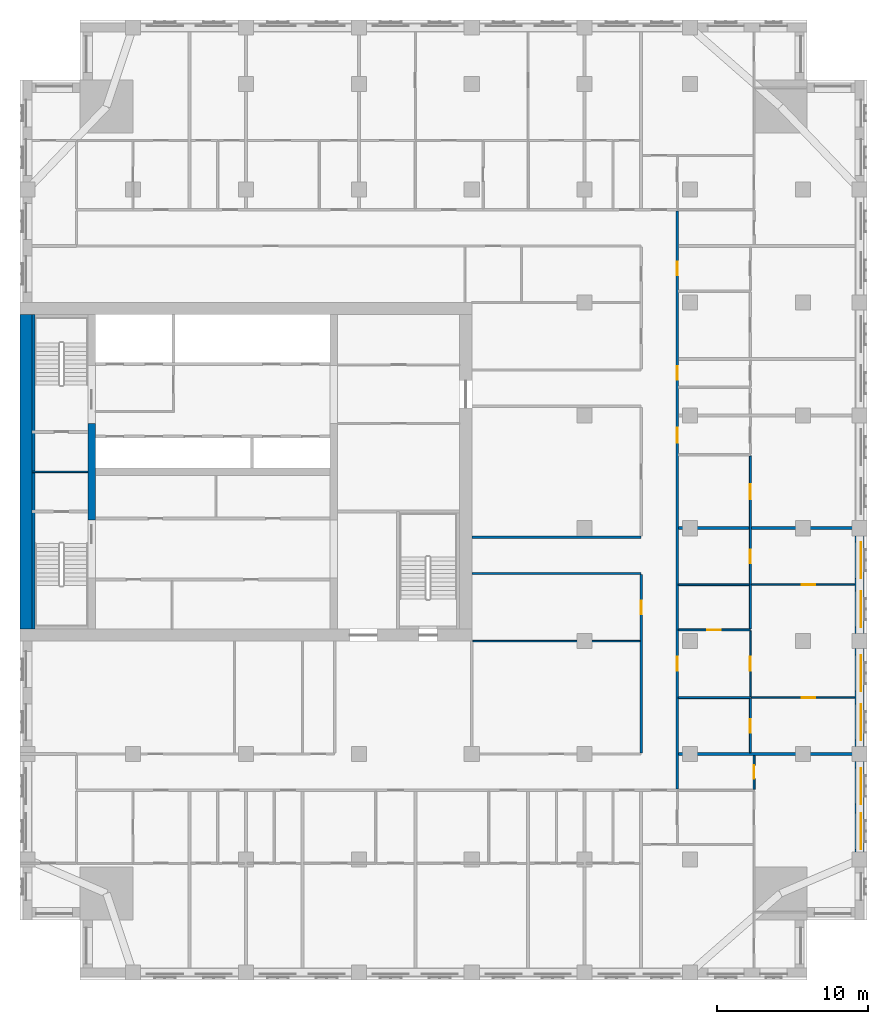
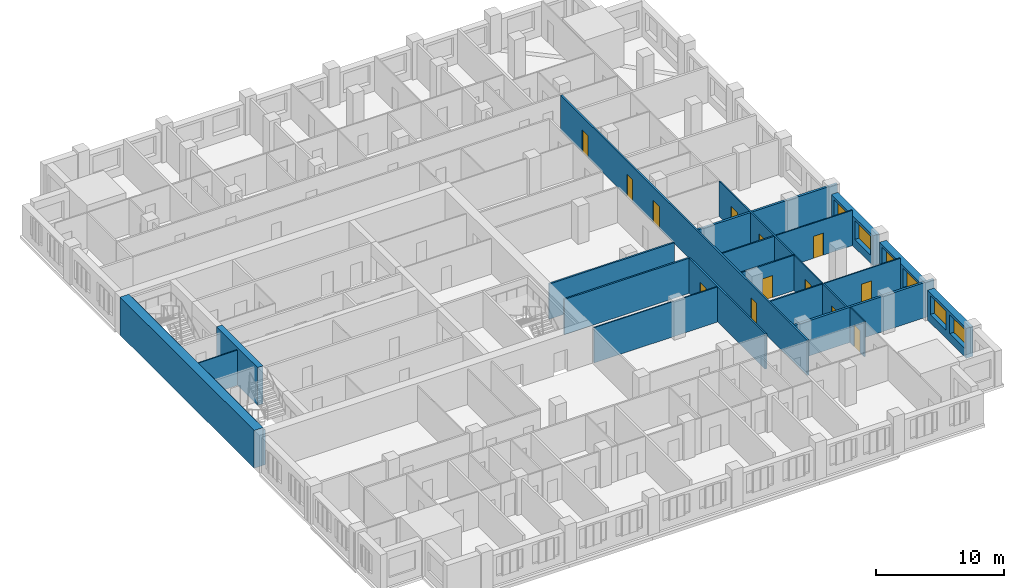
# One storey, part 7 of 14: 23 walls, 13 doors, 6 windows, 19 openings.
"""IFC4 building model written with IfcOpenShell, lengths in metres."""

from ifc_helpers import new_model, si_unit, direction, frame, frame_2d, origin, place, context, subcontext, project, spatial, rectangle, extrude, material, layer, layer_set, type_object, element, fill, save


model = new_model("IFC4")

# Units and contexts
model_context = context("Model", 3, precision=1e-05, world=origin(), true_north=direction((0.0, 1.0)))
body_context = subcontext(model_context, "Body", "Model", "MODEL_VIEW")
ifc_project = project(units=[si_unit("LENGTHUNIT", "METRE"), si_unit("AREAUNIT", "SQUARE_METRE"), si_unit("VOLUMEUNIT", "CUBIC_METRE"), si_unit("PLANEANGLEUNIT", "RADIAN"), si_unit("MASSUNIT", "GRAM", prefix="KILO")], contexts=[model_context])

# Site, building, storey
site_placement = place(None, origin())
site = spatial("IfcSite", under=ifc_project, at=site_placement, CompositionType="ELEMENT")
building_placement = place(site_placement, origin())
building = spatial("IfcBuilding", under=site, at=building_placement, Name="Tamorin Gate", CompositionType="ELEMENT")
storey_placement = place(building_placement, frame((0.0, 0.0, 155.39990234375)))
storey = spatial("IfcBuildingStorey", under=building, at=storey_placement, Name="L38", CompositionType="ELEMENT", Elevation=155.39990234375)

# Wall, openings, windows
ifc_material_1 = material(Name="Precast concrete C40/50", Category="concrete")
ifc_layer_1 = layer(ifc_material_1, 0.60009765625)
ifc_layer_set_1 = layer_set([ifc_layer_1], Name="Precast concrete C40/50")
wall_type_1 = type_object("IfcWallType", Name="Board-marked concrete facade panel 600", PredefinedType="SOLIDWALL", material=ifc_layer_set_1)
wall_1_placement = place(storey_placement, frame((85.75, 46.0, 0.0), z_axis=(0.0, 0.0, 1.0), x_axis=(0.0, 1.0, 0.0)))
wall_1 = element("IfcWall", 1, at=wall_1_placement, inside=storey, type_object=wall_type_1, Name="Facade panel", PredefinedType="SOLIDWALL", context=body_context, shape_type="SweptSolid", body=[
    extrude(rectangle(XDim=6.0, YDim=0.60009765625, at=frame_2d((3.0, 0.0))), origin(), (0.0, 0.0, 1.0), 2.85009765625),
])
opening_1_placement = place(wall_1_placement, frame((0.175048828125, 0.0, 0.800048828125)))
opening_1 = element("IfcOpeningElement", 2, at=opening_1_placement, cuts=wall_1, Name="Opening WN1", PredefinedType="OPENING", context=body_context, shape_type="SweptSolid", body=[
    extrude(rectangle(XDim=2.39990234375, YDim=1.800048828125, at=frame_2d((1.199951171875, 0.89990234375))), frame((0.0, 0.31005859375, 0.0), z_axis=(0.0, -1.0, 0.0), x_axis=(1.0, 0.0, 0.0)), (0.0, 0.0, 1.0), 0.6201171875),
])
opening_2_placement = place(wall_1_placement, frame((3.175048828125, 0.0, 0.800048828125)))
opening_2 = element("IfcOpeningElement", 3, at=opening_2_placement, cuts=wall_1, Name="Opening WN1", PredefinedType="OPENING", context=body_context, shape_type="SweptSolid", body=[
    extrude(rectangle(XDim=2.39990234375, YDim=1.800048828125, at=frame_2d((1.199951171875, 0.89990234375))), frame((0.0, 0.31005859375, 0.0), z_axis=(0.0, -1.0, 0.0), x_axis=(1.0, 0.0, 0.0)), (0.0, 0.0, 1.0), 0.6201171875),
])
ifc_material_2 = material(Name="Clear glass in aluminium frame", Category="aluminium")
window_type = type_object("IfcWindowType", Name="Deep-set window 2400x1800", PartitioningType="SINGLE_PANEL", PredefinedType="WINDOW", material=ifc_material_2)
window_1_placement = place(opening_1_placement, origin())
window_1 = element("IfcWindow", 4, at=window_1_placement, inside=storey, type_object=window_type, Name="Deep-set window", OverallHeight=1.800048828125, OverallWidth=2.39990234375, PartitioningType="SINGLE_PANEL", PredefinedType="WINDOW", context=body_context, shape_type="SweptSolid", body=[
    extrude(rectangle(XDim=2.39990234375, YDim=1.800048828125, at=frame_2d((1.199951171875, 0.89990234375))), frame((0.0, -0.070068359375, 0.0), z_axis=(0.0, -1.0, 0.0), x_axis=(1.0, 0.0, 0.0)), (0.0, 0.0, 1.0), 0.06005859375),
])
fill(opening_1, window_1)
window_2_placement = place(opening_2_placement, origin())
window_2 = element("IfcWindow", 5, at=window_2_placement, inside=storey, type_object=window_type, Name="Deep-set window", OverallHeight=1.800048828125, OverallWidth=2.39990234375, PartitioningType="SINGLE_PANEL", PredefinedType="WINDOW", context=body_context, shape_type="SweptSolid", body=[
    extrude(rectangle(XDim=2.39990234375, YDim=1.800048828125, at=frame_2d((1.199951171875, 0.89990234375))), frame((0.0, -0.070068359375, 0.0), z_axis=(0.0, -1.0, 0.0), x_axis=(1.0, 0.0, 0.0)), (0.0, 0.0, 1.0), 0.06005859375),
])
fill(opening_2, window_2)

wall_2_placement = place(storey_placement, frame((85.75, 53.0, 0.0), z_axis=(0.0, 0.0, 1.0), x_axis=(0.0, 1.0, 0.0)))
wall_2 = element("IfcWall", 6, at=wall_2_placement, inside=storey, type_object=wall_type_1, Name="Facade panel", PredefinedType="SOLIDWALL", context=body_context, shape_type="SweptSolid", body=[
    extrude(rectangle(XDim=6.5, YDim=0.60009765625, at=frame_2d((3.25, 0.0))), origin(), (0.0, 0.0, 1.0), 2.85009765625),
])
opening_3_placement = place(wall_2_placement, frame((0.425048828125, 0.0, 0.800048828125)))
opening_3 = element("IfcOpeningElement", 7, at=opening_3_placement, cuts=wall_2, Name="Opening WN1", PredefinedType="OPENING", context=body_context, shape_type="SweptSolid", body=[
    extrude(rectangle(XDim=2.39990234375, YDim=1.800048828125, at=frame_2d((1.199951171875, 0.89990234375))), frame((0.0, 0.31005859375, 0.0), z_axis=(0.0, -1.0, 0.0), x_axis=(1.0, 0.0, 0.0)), (0.0, 0.0, 1.0), 0.6201171875),
])
opening_4_placement = place(wall_2_placement, frame((3.675048828125, 0.0, 0.800048828125)))
opening_4 = element("IfcOpeningElement", 8, at=opening_4_placement, cuts=wall_2, Name="Opening WN1", PredefinedType="OPENING", context=body_context, shape_type="SweptSolid", body=[
    extrude(rectangle(XDim=2.39990234375, YDim=1.800048828125, at=frame_2d((1.199951171875, 0.89990234375))), frame((0.0, 0.31005859375, 0.0), z_axis=(0.0, -1.0, 0.0), x_axis=(1.0, 0.0, 0.0)), (0.0, 0.0, 1.0), 0.6201171875),
])
window_3_placement = place(opening_3_placement, origin())
window_3 = element("IfcWindow", 9, at=window_3_placement, inside=storey, type_object=window_type, Name="Deep-set window", OverallHeight=1.800048828125, OverallWidth=2.39990234375, PartitioningType="SINGLE_PANEL", PredefinedType="WINDOW", context=body_context, shape_type="SweptSolid", body=[
    extrude(rectangle(XDim=2.39990234375, YDim=1.800048828125, at=frame_2d((1.199951171875, 0.89990234375))), frame((0.0, -0.070068359375, 0.0), z_axis=(0.0, -1.0, 0.0), x_axis=(1.0, 0.0, 0.0)), (0.0, 0.0, 1.0), 0.06005859375),
])
fill(opening_3, window_3)
window_4_placement = place(opening_4_placement, origin())
window_4 = element("IfcWindow", 10, at=window_4_placement, inside=storey, type_object=window_type, Name="Deep-set window", OverallHeight=1.800048828125, OverallWidth=2.39990234375, PartitioningType="SINGLE_PANEL", PredefinedType="WINDOW", context=body_context, shape_type="SweptSolid", body=[
    extrude(rectangle(XDim=2.39990234375, YDim=1.800048828125, at=frame_2d((1.199951171875, 0.89990234375))), frame((0.0, -0.070068359375, 0.0), z_axis=(0.0, -1.0, 0.0), x_axis=(1.0, 0.0, 0.0)), (0.0, 0.0, 1.0), 0.06005859375),
])
fill(opening_4, window_4)

wall_3_placement = place(storey_placement, frame((85.75, 60.5, 0.0), z_axis=(0.0, 0.0, 1.0), x_axis=(0.0, 1.0, 0.0)))
wall_3 = element("IfcWall", 11, at=wall_3_placement, inside=storey, type_object=wall_type_1, Name="Facade panel", PredefinedType="SOLIDWALL", context=body_context, shape_type="SweptSolid", body=[
    extrude(rectangle(XDim=6.5, YDim=0.60009765625, at=frame_2d((3.25, 0.0))), origin(), (0.0, 0.0, 1.0), 2.85009765625),
])
opening_5_placement = place(wall_3_placement, frame((0.425048828125, 0.0, 0.800048828125)))
opening_5 = element("IfcOpeningElement", 12, at=opening_5_placement, cuts=wall_3, Name="Opening WN1", PredefinedType="OPENING", context=body_context, shape_type="SweptSolid", body=[
    extrude(rectangle(XDim=2.39990234375, YDim=1.800048828125, at=frame_2d((1.199951171875, 0.89990234375))), frame((0.0, 0.31005859375, 0.0), z_axis=(0.0, -1.0, 0.0), x_axis=(1.0, 0.0, 0.0)), (0.0, 0.0, 1.0), 0.6201171875),
])
opening_6_placement = place(wall_3_placement, frame((3.675048828125, 0.0, 0.800048828125)))
opening_6 = element("IfcOpeningElement", 13, at=opening_6_placement, cuts=wall_3, Name="Opening WN1", PredefinedType="OPENING", context=body_context, shape_type="SweptSolid", body=[
    extrude(rectangle(XDim=2.39990234375, YDim=1.800048828125, at=frame_2d((1.199951171875, 0.89990234375))), frame((0.0, 0.31005859375, 0.0), z_axis=(0.0, -1.0, 0.0), x_axis=(1.0, 0.0, 0.0)), (0.0, 0.0, 1.0), 0.6201171875),
])
window_5_placement = place(opening_5_placement, origin())
window_5 = element("IfcWindow", 14, at=window_5_placement, inside=storey, type_object=window_type, Name="Deep-set window", OverallHeight=1.800048828125, OverallWidth=2.39990234375, PartitioningType="SINGLE_PANEL", PredefinedType="WINDOW", context=body_context, shape_type="SweptSolid", body=[
    extrude(rectangle(XDim=2.39990234375, YDim=1.800048828125, at=frame_2d((1.199951171875, 0.89990234375))), frame((0.0, -0.070068359375, 0.0), z_axis=(0.0, -1.0, 0.0), x_axis=(1.0, 0.0, 0.0)), (0.0, 0.0, 1.0), 0.06005859375),
])
fill(opening_5, window_5)
window_6_placement = place(opening_6_placement, origin())
window_6 = element("IfcWindow", 15, at=window_6_placement, inside=storey, type_object=window_type, Name="Deep-set window", OverallHeight=1.800048828125, OverallWidth=2.39990234375, PartitioningType="SINGLE_PANEL", PredefinedType="WINDOW", context=body_context, shape_type="SweptSolid", body=[
    extrude(rectangle(XDim=2.39990234375, YDim=1.800048828125, at=frame_2d((1.199951171875, 0.89990234375))), frame((0.0, -0.070068359375, 0.0), z_axis=(0.0, -1.0, 0.0), x_axis=(1.0, 0.0, 0.0)), (0.0, 0.0, 1.0), 0.06005859375),
])
fill(opening_6, window_6)

# Wall, opening, door
ifc_material_3 = material(Name="Gypsum board partition")
ifc_layer_2 = layer(ifc_material_3, 0.14990234375)
ifc_layer_set_2 = layer_set([ifc_layer_2], Name="Corridor wall 150")
wall_type_2 = type_object("IfcWallType", Name="Corridor wall 150", PredefinedType="PARTITIONING", material=ifc_layer_set_2)
wall_4_placement = place(storey_placement, frame((71.25, 52.574951171875, 0.0), z_axis=(0.0, 0.0, 1.0), x_axis=(0.0, 1.0, 0.0)))
wall_4 = element("IfcWall", 16, at=wall_4_placement, inside=storey, type_object=wall_type_2, Name="Corridor wall 150", PredefinedType="PARTITIONING", context=body_context, shape_type="SweptSolid", body=[
    extrude(rectangle(XDim=11.85009765625, YDim=0.14990234375, at=frame_2d((5.925048828125, 0.0))), origin(), (0.0, 0.0, 1.0), 3.35009765625),
])
opening_7_placement = place(wall_4_placement, frame((9.22509765625, 0.0, 0.0)))
opening_7 = element("IfcOpeningElement", 17, at=opening_7_placement, cuts=wall_4, Name="Opening DS4078", PredefinedType="OPENING", context=body_context, shape_type="SweptSolid", body=[
    extrude(rectangle(XDim=0.89990234375, YDim=2.10009765625, at=frame_2d((0.449951171875, 1.050048828125))), frame((0.0, 0.0849609375, 0.0), z_axis=(0.0, -1.0, 0.0), x_axis=(1.0, 0.0, 0.0)), (0.0, 0.0, 1.0), 0.169921875),
])
ifc_material_4 = material(Name="Timber door leaf", Category="wood")
door_type_1 = type_object("IfcDoorType", Name="Door 900 x 2100 FD30S", OperationType="NOTDEFINED", PredefinedType="DOOR", material=ifc_material_4)
door_1_placement = place(opening_7_placement, origin())
door_1 = element("IfcDoor", 18, at=door_1_placement, inside=storey, type_object=door_type_1, Name="Door DS4078", OperationType="SINGLE_SWING_LEFT", OverallHeight=2.10009765625, OverallWidth=0.89990234375, PredefinedType="DOOR", context=body_context, shape_type="SweptSolid", body=[
    extrude(rectangle(XDim=0.89990234375, YDim=2.10009765625, at=frame_2d((0.449951171875, 1.050048828125))), frame((0.0, 0.02490234375, 0.0), z_axis=(0.0, -1.0, 0.0), x_axis=(1.0, 0.0, 0.0)), (0.0, 0.0, 1.0), 0.050048828125),
])
fill(opening_7, door_1)

# Wall, openings, doors
wall_5_placement = place(storey_placement, frame((73.64990234375, 50.175048828125, 0.0), z_axis=(0.0, 0.0, 1.0), x_axis=(0.0, 1.0, 0.0)))
wall_5 = element("IfcWall", 19, at=wall_5_placement, inside=storey, type_object=wall_type_2, Name="Corridor wall 150", PredefinedType="PARTITIONING", context=body_context, shape_type="SweptSolid", body=[
    extrude(rectangle(XDim=38.39990234375, YDim=0.14990234375, at=frame_2d((19.199951171875, 0.0))), origin(), (0.0, 0.0, 1.0), 3.35009765625),
])
opening_8_placement = place(wall_5_placement, frame((7.875, 0.0, 0.0)))
opening_8 = element("IfcOpeningElement", 20, at=opening_8_placement, cuts=wall_5, Name="Opening DS4044", PredefinedType="OPENING", context=body_context, shape_type="SweptSolid", body=[
    extrude(rectangle(XDim=0.89990234375, YDim=2.10009765625, at=frame_2d((0.449951171875, 1.050048828125))), frame((0.0, 0.0849609375, 0.0), z_axis=(0.0, -1.0, 0.0), x_axis=(1.0, 0.0, 0.0)), (0.0, 0.0, 1.0), 0.169921875),
])
opening_9_placement = place(wall_5_placement, frame((23.012451171875, 0.0, 0.0)))
opening_9 = element("IfcOpeningElement", 21, at=opening_9_placement, cuts=wall_5, Name="Opening DS4051", PredefinedType="OPENING", context=body_context, shape_type="SweptSolid", body=[
    extrude(rectangle(XDim=1.0, YDim=2.10009765625, at=frame_2d((0.5, 1.050048828125))), frame((0.0, 0.0849609375, 0.0), z_axis=(0.0, -1.0, 0.0), x_axis=(1.0, 0.0, 0.0)), (0.0, 0.0, 1.0), 0.169921875),
])
opening_10_placement = place(wall_5_placement, frame((27.1875, 0.0, 0.0)))
opening_10 = element("IfcOpeningElement", 22, at=opening_10_placement, cuts=wall_5, Name="Opening DS4054", PredefinedType="OPENING", context=body_context, shape_type="SweptSolid", body=[
    extrude(rectangle(XDim=0.89990234375, YDim=2.10009765625, at=frame_2d((0.449951171875, 1.050048828125))), frame((0.0, 0.0849609375, 0.0), z_axis=(0.0, -1.0, 0.0), x_axis=(1.0, 0.0, 0.0)), (0.0, 0.0, 1.0), 0.169921875),
])
opening_11_placement = place(wall_5_placement, frame((34.125, 0.0, 0.0)))
opening_11 = element("IfcOpeningElement", 23, at=opening_11_placement, cuts=wall_5, Name="Opening DS4057", PredefinedType="OPENING", context=body_context, shape_type="SweptSolid", body=[
    extrude(rectangle(XDim=0.89990234375, YDim=2.10009765625, at=frame_2d((0.449951171875, 1.050048828125))), frame((0.0, 0.0849609375, 0.0), z_axis=(0.0, -1.0, 0.0), x_axis=(1.0, 0.0, 0.0)), (0.0, 0.0, 1.0), 0.169921875),
])
door_type_2 = type_object("IfcDoorType", Name="Door 1000 x 2100 FD30S", OperationType="NOTDEFINED", PredefinedType="DOOR", material=ifc_material_4)
door_2_placement = place(opening_9_placement, origin())
door_2 = element("IfcDoor", 24, at=door_2_placement, inside=storey, type_object=door_type_2, Name="Door DS4051", OperationType="SINGLE_SWING_RIGHT", OverallHeight=2.10009765625, OverallWidth=1.0, PredefinedType="DOOR", context=body_context, shape_type="SweptSolid", body=[
    extrude(rectangle(XDim=1.0, YDim=2.10009765625, at=frame_2d((0.5, 1.050048828125))), frame((0.0, 0.02490234375, 0.0), z_axis=(0.0, -1.0, 0.0), x_axis=(1.0, 0.0, 0.0)), (0.0, 0.0, 1.0), 0.050048828125),
])
fill(opening_9, door_2)
door_3_placement = place(opening_8_placement, origin())
door_3 = element("IfcDoor", 25, at=door_3_placement, inside=storey, type_object=door_type_1, Name="Door DS4044", OperationType="SINGLE_SWING_RIGHT", OverallHeight=2.10009765625, OverallWidth=0.89990234375, PredefinedType="DOOR", context=body_context, shape_type="SweptSolid", body=[
    extrude(rectangle(XDim=0.89990234375, YDim=2.10009765625, at=frame_2d((0.449951171875, 1.050048828125))), frame((0.0, 0.02490234375, 0.0), z_axis=(0.0, -1.0, 0.0), x_axis=(1.0, 0.0, 0.0)), (0.0, 0.0, 1.0), 0.050048828125),
])
fill(opening_8, door_3)
door_4_placement = place(opening_10_placement, origin())
door_4 = element("IfcDoor", 26, at=door_4_placement, inside=storey, type_object=door_type_1, Name="Door DS4054", OperationType="SINGLE_SWING_RIGHT", OverallHeight=2.10009765625, OverallWidth=0.89990234375, PredefinedType="DOOR", context=body_context, shape_type="SweptSolid", body=[
    extrude(rectangle(XDim=0.89990234375, YDim=2.10009765625, at=frame_2d((0.449951171875, 1.050048828125))), frame((0.0, 0.02490234375, 0.0), z_axis=(0.0, -1.0, 0.0), x_axis=(1.0, 0.0, 0.0)), (0.0, 0.0, 1.0), 0.050048828125),
])
fill(opening_10, door_4)
door_5_placement = place(opening_11_placement, origin())
door_5 = element("IfcDoor", 27, at=door_5_placement, inside=storey, type_object=door_type_1, Name="Door DS4057", OperationType="SINGLE_SWING_RIGHT", OverallHeight=2.10009765625, OverallWidth=0.89990234375, PredefinedType="DOOR", context=body_context, shape_type="SweptSolid", body=[
    extrude(rectangle(XDim=0.89990234375, YDim=2.10009765625, at=frame_2d((0.449951171875, 1.050048828125))), frame((0.0, 0.02490234375, 0.0), z_axis=(0.0, -1.0, 0.0), x_axis=(1.0, 0.0, 0.0)), (0.0, 0.0, 1.0), 0.050048828125),
])
fill(opening_11, door_5)

# Walls
ifc_layer_3 = layer(ifc_material_3, 0.199951171875)
ifc_layer_set_3 = layer_set([ifc_layer_3], Name="Demising wall 200")
wall_type_3 = type_object("IfcWallType", Name="Demising wall 200", PredefinedType="PARTITIONING", material=ifc_layer_set_3)
for number, where, z_axis, x_axis, name in (
    (28, (73.72509765625, 52.5, 0.0), (0.0, 0.0, 1.0), (1.0, 0.0, 0.0), "Demising wall 200"),
    (29, (73.72509765625, 67.5, 0.0), (0.0, 0.0, 1.0), (1.0, 0.0, 0.0), "Demising wall 200"),
):
    element("IfcWall", number, at=place(storey_placement, frame(where, z_axis=z_axis, x_axis=x_axis)), inside=storey, type_object=wall_type_3, Name=name, PredefinedType="PARTITIONING", context=body_context, shape_type="SweptSolid", body=[
        extrude(rectangle(XDim=12.52490234375, YDim=0.199951171875, at=frame_2d((6.262451171875, 0.0))), origin(), (0.0, 0.0, 1.0), 3.35009765625),
    ])
ifc_layer_4 = layer(ifc_material_3, 0.14990234375)
ifc_layer_set_4 = layer_set([ifc_layer_4], Name="Lobby wall 150")
wall_type_4 = type_object("IfcWallType", Name="Lobby wall 150", PredefinedType="PARTITIONING", material=ifc_layer_set_4)
for number, where, z_axis, x_axis, name in (
    (30, (60.0, 64.5, 0.0), (0.0, 0.0, 1.0), (1.0, 0.0, 0.0), "Lobby wall 150"),
    (31, (60.0, 66.89990234375, 0.0), (0.0, 0.0, 1.0), (1.0, 0.0, 0.0), "Lobby wall 150"),
):
    element("IfcWall", number, at=place(storey_placement, frame(where, z_axis=z_axis, x_axis=x_axis)), inside=storey, type_object=wall_type_4, Name=name, PredefinedType="PARTITIONING", context=body_context, shape_type="SweptSolid", body=[
        extrude(rectangle(XDim=11.25, YDim=0.14990234375, at=frame_2d((5.625, 0.0))), origin(), (0.0, 0.0, 1.0), 3.35009765625),
    ])
ifc_material_5 = material(Name="Concrete C60/75", Category="concrete")
ifc_layer_5 = layer(ifc_material_5, 0.5)
ifc_layer_set_5 = layer_set([ifc_layer_5], Name="RC core internal wall 500 C60/75")
wall_type_5 = type_object("IfcWallType", Name="RC core internal wall 500 C60/75", PredefinedType="SHEAR", material=ifc_layer_set_5)
wall_6_placement = place(storey_placement, frame((34.75, 68.050048828125, 0.0), z_axis=(0.0, 0.0, 1.0), x_axis=(0.0, 1.0, 0.0)))
element("IfcWall", 32, at=wall_6_placement, inside=storey, type_object=wall_type_5, Name="Core cross wall L38", PredefinedType="SHEAR", context=body_context, shape_type="SweptSolid", body=[
    extrude(rectangle(XDim=6.39990234375, YDim=0.5, at=frame_2d((3.199951171875, 0.0))), origin(), (0.0, 0.0, 1.0), 3.60009765625),
])
ifc_layer_6 = layer(ifc_material_5, 0.800048828125)
ifc_layer_set_6 = layer_set([ifc_layer_6], Name="RC core wall 800 C60/75")
wall_type_6 = type_object("IfcWallType", Name="RC core wall 800 C60/75", PredefinedType="SHEAR", material=ifc_layer_set_6)
wall_7_placement = place(storey_placement, frame((30.39990234375, 60.800048828125, 0.0), z_axis=(0.0, 0.0, 1.0), x_axis=(0.0, 1.0, 0.0)))
element("IfcWall", 33, at=wall_7_placement, inside=storey, type_object=wall_type_6, Name="Core wall L38", PredefinedType="SHEAR", context=body_context, shape_type="SweptSolid", body=[
    extrude(rectangle(XDim=20.89990234375, YDim=0.800048828125, at=frame_2d((10.449951171875, 0.0))), origin(), (0.0, 0.0, 1.0), 3.60009765625),
])
ifc_material_6 = material(Name="Fire-rated gypsum board partition")
ifc_layer_7 = layer(ifc_material_6, 0.10009765625)
ifc_layer_set_7 = layer_set([ifc_layer_7], Name="Riser partition 100 EI 120")
wall_type_7 = type_object("IfcWallType", Name="Riser partition 100 EI 120", PredefinedType="PARTITIONING", material=ifc_layer_set_7)
wall_8_placement = place(storey_placement, frame((30.800048828125, 71.25, 0.0), z_axis=(0.0, 0.0, 1.0), x_axis=(1.0, 0.0, 0.0)))
element("IfcWall", 34, at=wall_8_placement, inside=storey, type_object=wall_type_7, Name="Riser partition", PredefinedType="PARTITIONING", context=body_context, shape_type="SweptSolid", body=[
    extrude(rectangle(XDim=3.699951171875, YDim=0.10009765625, at=frame_2d((1.85009765625, 0.0))), origin(), (0.0, 0.0, 1.0), 3.35009765625),
])

# Wall, opening, door
ifc_layer_8 = layer(ifc_material_3, 0.10009765625)
ifc_layer_set_8 = layer_set([ifc_layer_8], Name="Room partition 100")
wall_type_8 = type_object("IfcWallType", Name="Room partition 100", PredefinedType="PARTITIONING", material=ifc_layer_set_8)
wall_9_placement = place(storey_placement, frame((78.5625, 56.25, 0.0), z_axis=(0.0, 0.0, 1.0), x_axis=(1.0, 0.0, 0.0)))
wall_9 = element("IfcWall", 35, at=wall_9_placement, inside=storey, type_object=wall_type_8, Name="Room partition 100", PredefinedType="PARTITIONING", context=body_context, shape_type="SweptSolid", body=[
    extrude(rectangle(XDim=6.87744140625, YDim=0.10009765625, at=frame_2d((3.438720703125, 0.0))), origin(), (0.0, 0.0, 1.0), 3.35009765625),
])
opening_12_placement = place(wall_9_placement, frame((3.362548828125, 0.0, 0.0)))
opening_12 = element("IfcOpeningElement", 36, at=opening_12_placement, cuts=wall_9, Name="Opening DS4048", PredefinedType="OPENING", context=body_context, shape_type="SweptSolid", body=[
    extrude(rectangle(XDim=0.89990234375, YDim=2.10009765625, at=frame_2d((0.449951171875, 1.050048828125))), frame((0.0, 0.06005859375, 0.0), z_axis=(0.0, -1.0, 0.0), x_axis=(1.0, 0.0, 0.0)), (0.0, 0.0, 1.0), 0.1201171875),
])
door_type_3 = type_object("IfcDoorType", Name="Door 900 x 2100", OperationType="NOTDEFINED", PredefinedType="DOOR", material=ifc_material_4)
door_6_placement = place(opening_12_placement, origin())
door_6 = element("IfcDoor", 37, at=door_6_placement, inside=storey, type_object=door_type_3, Name="Door DS4048", OperationType="SINGLE_SWING_RIGHT", OverallHeight=2.10009765625, OverallWidth=0.89990234375, PredefinedType="DOOR", context=body_context, shape_type="SweptSolid", body=[
    extrude(rectangle(XDim=0.89990234375, YDim=2.10009765625, at=frame_2d((0.449951171875, 1.050048828125))), frame((0.0, 0.02490234375, 0.0), z_axis=(0.0, -1.0, 0.0), x_axis=(1.0, 0.0, 0.0)), (0.0, 0.0, 1.0), 0.050048828125),
])
fill(opening_12, door_6)

# Wall
wall_10_placement = place(storey_placement, frame((60.074951171875, 60.0, 0.0), z_axis=(0.0, 0.0, 1.0), x_axis=(1.0, 0.0, 0.0)))
element("IfcWall", 38, at=wall_10_placement, inside=storey, type_object=wall_type_8, Name="Room partition 100", PredefinedType="PARTITIONING", context=body_context, shape_type="SweptSolid", body=[
    extrude(rectangle(XDim=11.10009765625, YDim=0.10009765625, at=frame_2d((5.550048828125, 0.0))), origin(), (0.0, 0.0, 1.0), 3.35009765625),
])

# Wall, opening, door
wall_11_placement = place(storey_placement, frame((78.5625, 63.75, 0.0), z_axis=(0.0, 0.0, 1.0), x_axis=(1.0, 0.0, 0.0)))
wall_11 = element("IfcWall", 39, at=wall_11_placement, inside=storey, type_object=wall_type_8, Name="Room partition 100", PredefinedType="PARTITIONING", context=body_context, shape_type="SweptSolid", body=[
    extrude(rectangle(XDim=6.87744140625, YDim=0.10009765625, at=frame_2d((3.438720703125, 0.0))), origin(), (0.0, 0.0, 1.0), 3.35009765625),
])
opening_13_placement = place(wall_11_placement, frame((3.362548828125, 0.0, 0.0)))
opening_13 = element("IfcOpeningElement", 40, at=opening_13_placement, cuts=wall_11, Name="Opening DS4049", PredefinedType="OPENING", context=body_context, shape_type="SweptSolid", body=[
    extrude(rectangle(XDim=0.89990234375, YDim=2.10009765625, at=frame_2d((0.449951171875, 1.050048828125))), frame((0.0, 0.06005859375, 0.0), z_axis=(0.0, -1.0, 0.0), x_axis=(1.0, 0.0, 0.0)), (0.0, 0.0, 1.0), 0.1201171875),
])
door_7_placement = place(opening_13_placement, origin())
door_7 = element("IfcDoor", 41, at=door_7_placement, inside=storey, type_object=door_type_3, Name="Door DS4049", OperationType="SINGLE_SWING_RIGHT", OverallHeight=2.10009765625, OverallWidth=0.89990234375, PredefinedType="DOOR", context=body_context, shape_type="SweptSolid", body=[
    extrude(rectangle(XDim=0.89990234375, YDim=2.10009765625, at=frame_2d((0.449951171875, 1.050048828125))), frame((0.0, 0.02490234375, 0.0), z_axis=(0.0, -1.0, 0.0), x_axis=(1.0, 0.0, 0.0)), (0.0, 0.0, 1.0), 0.050048828125),
])
fill(opening_13, door_7)

wall_12_placement = place(storey_placement, frame((78.5, 56.3125, 0.0), z_axis=(0.0, 0.0, 1.0), x_axis=(0.0, 1.0, 0.0)))
wall_12 = element("IfcWall", 42, at=wall_12_placement, inside=storey, type_object=wall_type_8, Name="Room partition 100", PredefinedType="PARTITIONING", context=body_context, shape_type="SweptSolid", body=[
    extrude(rectangle(XDim=4.375, YDim=0.10009765625, at=frame_2d((2.1875, 0.0))), origin(), (0.0, 0.0, 1.0), 3.35009765625),
])
opening_14_placement = place(wall_12_placement, frame((1.737548828125, 0.0, 0.0)))
opening_14 = element("IfcOpeningElement", 43, at=opening_14_placement, cuts=wall_12, Name="Opening DS4045", PredefinedType="OPENING", context=body_context, shape_type="SweptSolid", body=[
    extrude(rectangle(XDim=0.89990234375, YDim=2.10009765625, at=frame_2d((0.449951171875, 1.050048828125))), frame((0.0, 0.06005859375, 0.0), z_axis=(0.0, -1.0, 0.0), x_axis=(1.0, 0.0, 0.0)), (0.0, 0.0, 1.0), 0.1201171875),
])
door_8_placement = place(opening_14_placement, origin())
door_8 = element("IfcDoor", 44, at=door_8_placement, inside=storey, type_object=door_type_3, Name="Door DS4045", OperationType="SINGLE_SWING_LEFT", OverallHeight=2.10009765625, OverallWidth=0.89990234375, PredefinedType="DOOR", context=body_context, shape_type="SweptSolid", body=[
    extrude(rectangle(XDim=0.89990234375, YDim=2.10009765625, at=frame_2d((0.449951171875, 1.050048828125))), frame((0.0, 0.02490234375, 0.0), z_axis=(0.0, -1.0, 0.0), x_axis=(1.0, 0.0, 0.0)), (0.0, 0.0, 1.0), 0.050048828125),
])
fill(opening_14, door_8)

# Walls
ifc_layer_9 = layer(ifc_material_5, 0.199951171875)
ifc_layer_set_9 = layer_set([ifc_layer_9], Name="Stair lining wall 200 EI 120 C60/75")
wall_type_9 = type_object("IfcWallType", Name="Stair lining wall 200 EI 120 C60/75", PredefinedType="SOLIDWALL", material=ifc_layer_set_9)
wall_13_placement = place(storey_placement, frame((30.89990234375, 60.800048828125, 0.0), z_axis=(0.0, 0.0, 1.0), x_axis=(0.0, 1.0, 0.0)))
element("IfcWall", 45, at=wall_13_placement, inside=storey, type_object=wall_type_9, Name="Stair lining wall", PredefinedType="SOLIDWALL", context=body_context, shape_type="SweptSolid", body=[
    extrude(rectangle(XDim=20.89990234375, YDim=0.199951171875, at=frame_2d((10.449951171875, 0.0))), origin(), (0.0, 0.0, 1.0), 3.35009765625),
])
ifc_layer_10 = layer(ifc_material_3, 0.125)
ifc_layer_set_10 = layer_set([ifc_layer_10], Name="Wet wall 125")
wall_type_10 = type_object("IfcWallType", Name="Wet wall 125", PredefinedType="PARTITIONING", material=ifc_layer_set_10)
wall_14_placement = place(storey_placement, frame((73.72509765625, 56.25, 0.0), z_axis=(0.0, 0.0, 1.0), x_axis=(1.0, 0.0, 0.0)))
element("IfcWall", 46, at=wall_14_placement, inside=storey, type_object=wall_type_10, Name="Wet wall 125", PredefinedType="PARTITIONING", context=body_context, shape_type="SweptSolid", body=[
    extrude(rectangle(XDim=4.77490234375, YDim=0.125, at=frame_2d((2.387451171875, 0.0))), origin(), (0.0, 0.0, 1.0), 3.35009765625),
])

# Wall, opening, door
wall_15_placement = place(storey_placement, frame((73.72509765625, 60.75, 0.0), z_axis=(0.0, 0.0, 1.0), x_axis=(1.0, 0.0, 0.0)))
wall_15 = element("IfcWall", 47, at=wall_15_placement, inside=storey, type_object=wall_type_10, Name="Wet wall 125", PredefinedType="PARTITIONING", context=body_context, shape_type="SweptSolid", body=[
    extrude(rectangle(XDim=4.77490234375, YDim=0.125, at=frame_2d((2.387451171875, 0.0))), origin(), (0.0, 0.0, 1.0), 3.35009765625),
])
opening_15_placement = place(wall_15_placement, frame((1.89990234375, 0.0, 0.0)))
opening_15 = element("IfcOpeningElement", 48, at=opening_15_placement, cuts=wall_15, Name="Opening DS4046", PredefinedType="OPENING", context=body_context, shape_type="SweptSolid", body=[
    extrude(rectangle(XDim=0.89990234375, YDim=2.10009765625, at=frame_2d((0.449951171875, 1.050048828125))), frame((0.0, 0.072509765625, 0.0), z_axis=(0.0, -1.0, 0.0), x_axis=(1.0, 0.0, 0.0)), (0.0, 0.0, 1.0), 0.14501953125),
])
door_9_placement = place(opening_15_placement, origin())
door_9 = element("IfcDoor", 49, at=door_9_placement, inside=storey, type_object=door_type_3, Name="Door DS4046", OperationType="SINGLE_SWING_RIGHT", OverallHeight=2.10009765625, OverallWidth=0.89990234375, PredefinedType="DOOR", context=body_context, shape_type="SweptSolid", body=[
    extrude(rectangle(XDim=0.89990234375, YDim=2.10009765625, at=frame_2d((0.449951171875, 1.050048828125))), frame((0.0, 0.02490234375, 0.0), z_axis=(0.0, -1.0, 0.0), x_axis=(1.0, 0.0, 0.0)), (0.0, 0.0, 1.0), 0.050048828125),
])
fill(opening_15, door_9)

# Wall
wall_16_placement = place(storey_placement, frame((73.72509765625, 63.75, 0.0), z_axis=(0.0, 0.0, 1.0), x_axis=(1.0, 0.0, 0.0)))
element("IfcWall", 50, at=wall_16_placement, inside=storey, type_object=wall_type_10, Name="Wet wall 125", PredefinedType="PARTITIONING", context=body_context, shape_type="SweptSolid", body=[
    extrude(rectangle(XDim=4.71240234375, YDim=0.125, at=frame_2d((2.356201171875, 0.0))), origin(), (0.0, 0.0, 1.0), 3.35009765625),
])

# Wall, opening, door
wall_17_placement = place(storey_placement, frame((78.5, 52.60009765625, 0.0), z_axis=(0.0, 0.0, 1.0), x_axis=(0.0, 1.0, 0.0)))
wall_17 = element("IfcWall", 51, at=wall_17_placement, inside=storey, type_object=wall_type_10, Name="Wet wall 125", PredefinedType="PARTITIONING", context=body_context, shape_type="SweptSolid", body=[
    extrude(rectangle(XDim=3.58740234375, YDim=0.125, at=frame_2d((1.793701171875, 0.0))), origin(), (0.0, 0.0, 1.0), 3.35009765625),
])
opening_16_placement = place(wall_17_placement, frame((1.324951171875, 0.0, 0.0)))
opening_16 = element("IfcOpeningElement", 52, at=opening_16_placement, cuts=wall_17, Name="Opening DS4043", PredefinedType="OPENING", context=body_context, shape_type="SweptSolid", body=[
    extrude(rectangle(XDim=0.89990234375, YDim=2.10009765625, at=frame_2d((0.449951171875, 1.050048828125))), frame((0.0, 0.072509765625, 0.0), z_axis=(0.0, -1.0, 0.0), x_axis=(1.0, 0.0, 0.0)), (0.0, 0.0, 1.0), 0.14501953125),
])
door_10_placement = place(opening_16_placement, origin())
door_10 = element("IfcDoor", 53, at=door_10_placement, inside=storey, type_object=door_type_3, Name="Door DS4043", OperationType="SINGLE_SWING_LEFT", OverallHeight=2.10009765625, OverallWidth=0.89990234375, PredefinedType="DOOR", context=body_context, shape_type="SweptSolid", body=[
    extrude(rectangle(XDim=0.89990234375, YDim=2.10009765625, at=frame_2d((0.449951171875, 1.050048828125))), frame((0.0, 0.02490234375, 0.0), z_axis=(0.0, -1.0, 0.0), x_axis=(1.0, 0.0, 0.0)), (0.0, 0.0, 1.0), 0.050048828125),
])
fill(opening_16, door_10)

# Wall, openings, doors
wall_18_placement = place(storey_placement, frame((78.5, 60.8125, 0.0), z_axis=(0.0, 0.0, 1.0), x_axis=(0.0, 1.0, 0.0)))
wall_18 = element("IfcWall", 54, at=wall_18_placement, inside=storey, type_object=wall_type_10, Name="Wet wall 125", PredefinedType="PARTITIONING", context=body_context, shape_type="SweptSolid", body=[
    extrude(rectangle(XDim=11.5, YDim=0.125, at=frame_2d((5.75, 0.0))), origin(), (0.0, 0.0, 1.0), 3.35009765625),
])
opening_17_placement = place(wall_18_placement, frame((4.362548828125, 0.0, 0.0)))
opening_17 = element("IfcOpeningElement", 55, at=opening_17_placement, cuts=wall_18, Name="Opening DS4047", PredefinedType="OPENING", context=body_context, shape_type="SweptSolid", body=[
    extrude(rectangle(XDim=0.89990234375, YDim=2.10009765625, at=frame_2d((0.449951171875, 1.050048828125))), frame((0.0, 0.072509765625, 0.0), z_axis=(0.0, -1.0, 0.0), x_axis=(1.0, 0.0, 0.0)), (0.0, 0.0, 1.0), 0.14501953125),
])
opening_18_placement = place(wall_18_placement, frame((8.625, 0.0, 0.0)))
opening_18 = element("IfcOpeningElement", 56, at=opening_18_placement, cuts=wall_18, Name="Opening DS4050", PredefinedType="OPENING", context=body_context, shape_type="SweptSolid", body=[
    extrude(rectangle(XDim=1.0, YDim=2.10009765625, at=frame_2d((0.5, 1.050048828125))), frame((0.0, 0.072509765625, 0.0), z_axis=(0.0, -1.0, 0.0), x_axis=(1.0, 0.0, 0.0)), (0.0, 0.0, 1.0), 0.14501953125),
])
door_type_4 = type_object("IfcDoorType", Name="Door 1000 x 2100", OperationType="NOTDEFINED", PredefinedType="DOOR", material=ifc_material_4)
door_11_placement = place(opening_18_placement, origin())
door_11 = element("IfcDoor", 57, at=door_11_placement, inside=storey, type_object=door_type_4, Name="Door DS4050", OperationType="SINGLE_SWING_LEFT", OverallHeight=2.10009765625, OverallWidth=1.0, PredefinedType="DOOR", context=body_context, shape_type="SweptSolid", body=[
    extrude(rectangle(XDim=1.0, YDim=2.10009765625, at=frame_2d((0.5, 1.050048828125))), frame((0.0, 0.02490234375, 0.0), z_axis=(0.0, -1.0, 0.0), x_axis=(1.0, 0.0, 0.0)), (0.0, 0.0, 1.0), 0.050048828125),
])
fill(opening_18, door_11)
door_12_placement = place(opening_17_placement, origin())
door_12 = element("IfcDoor", 58, at=door_12_placement, inside=storey, type_object=door_type_3, Name="Door DS4047", OperationType="SINGLE_SWING_LEFT", OverallHeight=2.10009765625, OverallWidth=0.89990234375, PredefinedType="DOOR", context=body_context, shape_type="SweptSolid", body=[
    extrude(rectangle(XDim=0.89990234375, YDim=2.10009765625, at=frame_2d((0.449951171875, 1.050048828125))), frame((0.0, 0.02490234375, 0.0), z_axis=(0.0, -1.0, 0.0), x_axis=(1.0, 0.0, 0.0)), (0.0, 0.0, 1.0), 0.050048828125),
])
fill(opening_17, door_12)

# Wall, opening, door
wall_19_placement = place(storey_placement, frame((78.75, 50.16259765625, 0.0), z_axis=(0.0, 0.0, 1.0), x_axis=(0.0, 1.0, 0.0)))
wall_19 = element("IfcWall", 59, at=wall_19_placement, inside=storey, type_object=wall_type_10, Name="Wet wall 125", PredefinedType="PARTITIONING", context=body_context, shape_type="SweptSolid", body=[
    extrude(rectangle(XDim=2.2373046875, YDim=0.125, at=frame_2d((1.11865234375, 0.0))), origin(), (0.0, 0.0, 1.0), 3.35009765625),
])
opening_19_placement = place(wall_19_placement, frame((0.6875, 0.0, 0.0)))
opening_19 = element("IfcOpeningElement", 60, at=opening_19_placement, cuts=wall_19, Name="Opening DS4064", PredefinedType="OPENING", context=body_context, shape_type="SweptSolid", body=[
    extrude(rectangle(XDim=0.89990234375, YDim=2.10009765625, at=frame_2d((0.449951171875, 1.050048828125))), frame((0.0, 0.072509765625, 0.0), z_axis=(0.0, -1.0, 0.0), x_axis=(1.0, 0.0, 0.0)), (0.0, 0.0, 1.0), 0.14501953125),
])
door_13_placement = place(opening_19_placement, origin())
door_13 = element("IfcDoor", 61, at=door_13_placement, inside=storey, type_object=door_type_3, Name="Door DS4064", OperationType="SINGLE_SWING_LEFT", OverallHeight=2.10009765625, OverallWidth=0.89990234375, PredefinedType="DOOR", context=body_context, shape_type="SweptSolid", body=[
    extrude(rectangle(XDim=0.89990234375, YDim=2.10009765625, at=frame_2d((0.449951171875, 1.050048828125))), frame((0.0, 0.02490234375, 0.0), z_axis=(0.0, -1.0, 0.0), x_axis=(1.0, 0.0, 0.0)), (0.0, 0.0, 1.0), 0.050048828125),
])
fill(opening_19, door_13)

save(model, "model.ifc")
